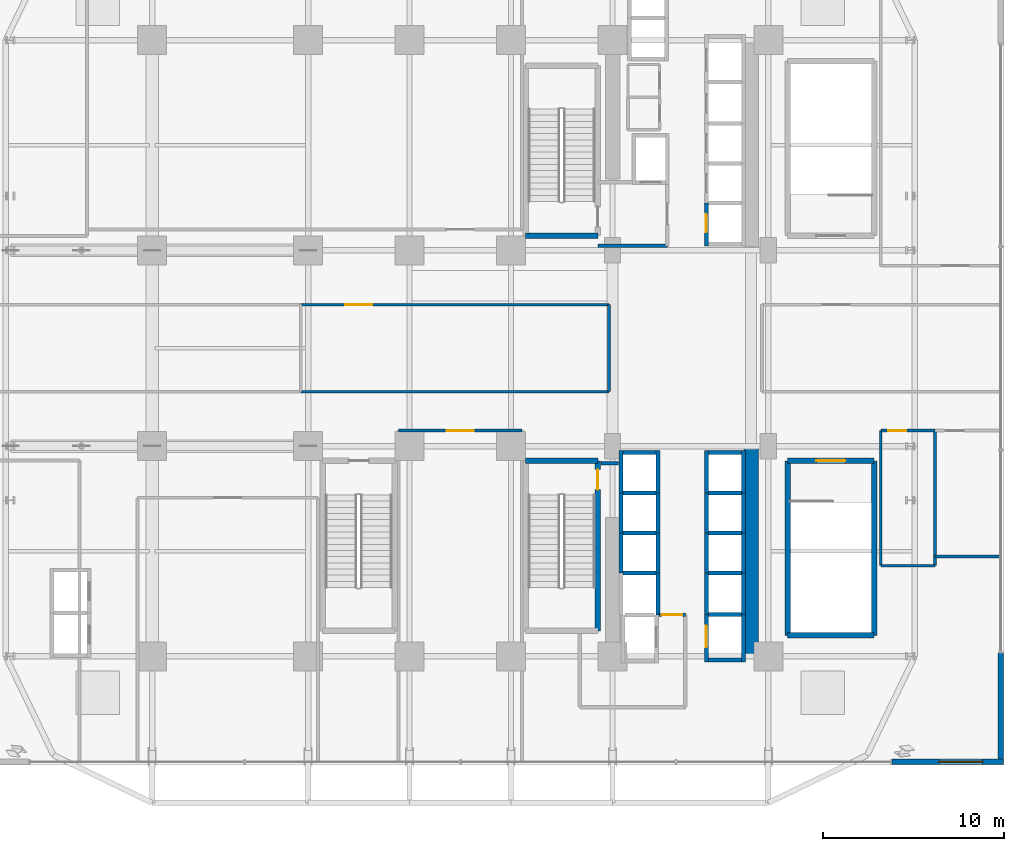
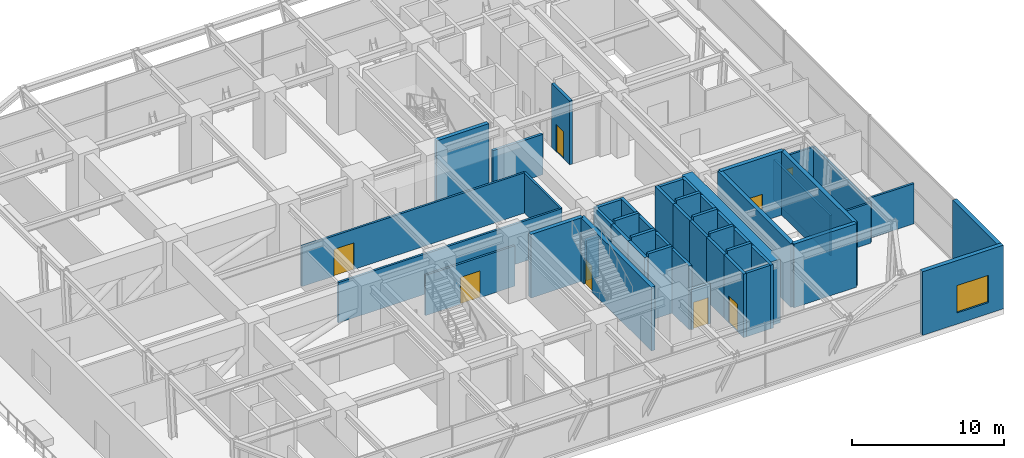
# One storey, part 21 of 29: 50 walls, 8 doors, 1 window, 9 openings.
"""IFC4 building model written with IfcOpenShell, lengths in metres."""

import ifcopenshell
import ifcopenshell.guid

model = None  # the IFC model being written
_history = None  # IfcOwnerHistory: only IFC2X3 demands one
_inside = {}  # id of a spatial element -> (the spatial element, [elements in it])
_under = {}  # id of a project, library or spatial element -> (it, [spatial elements below it])
_declared = {}  # id of a project -> (the project, [libraries it declares])
_typed = {}  # id of a type object -> (the type object, [elements of that type])
_made_of = {}  # id of a material, layer set ... -> (it, [elements and type objects made of it])


def new_model(schema):
    """Start an empty IFC model of exactly this schema.

    Asked for "IFC4X3", IfcOpenShell would pick the latest addendum, in which some entities
    have other attributes; the version numbers below select the first issue.
    IFC2X3 requires an IfcOwnerHistory on every rooted entity: one is made here for all.
    """
    global model, _history
    if schema == "IFC4X3":
        model = ifcopenshell.file(schema_version=(4, 3, 0, 0))
    else:
        model = ifcopenshell.file(schema=schema)
    _inside.clear()
    _under.clear()
    _declared.clear()
    _typed.clear()
    _made_of.clear()
    _history = None
    if model.schema == "IFC2X3":
        org = make("IfcOrganization", Name="unknown")
        user = make(
            "IfcPersonAndOrganization",
            ThePerson=make("IfcPerson", FamilyName="unknown"),
            TheOrganization=org,
        )
        app = make(
            "IfcApplication",
            ApplicationDeveloper=org,
            Version="unknown",
            ApplicationFullName="unknown",
            ApplicationIdentifier="unknown",
        )
        _history = make(
            "IfcOwnerHistory",
            OwningUser=user,
            OwningApplication=app,
            ChangeAction="ADDED",
            CreationDate=0,
        )
    return model


def make(cls, **values):
    """One entity of the class cls with the attributes given. An attribute that is None is left unset."""
    return model.create_entity(
        cls, **{name: value for name, value in values.items() if value is not None}
    )


def rooted(cls, **values):
    """An entity with a GlobalId (a new one), such as an element, a storey or a relation."""
    return make(cls, GlobalId=ifcopenshell.guid.new(), OwnerHistory=_history, **values)


def si_unit(unit_type, name, prefix=None):
    """IfcSIUnit, for example si_unit("LENGTHUNIT", "METRE", prefix="MILLI")."""
    return make("IfcSIUnit", UnitType=unit_type, Prefix=prefix, Name=name)


def assignment(units):
    """IfcUnitAssignment: the units of a project."""
    return None if units is None else make("IfcUnitAssignment", Units=units)


def point(xyz):
    """IfcCartesianPoint."""
    return None if xyz is None else make("IfcCartesianPoint", Coordinates=xyz)


def direction(xyz):
    """IfcDirection."""
    return None if xyz is None else make("IfcDirection", DirectionRatios=xyz)


def frame(location, z_axis=None, x_axis=None):
    """IfcAxis2Placement3D, a coordinate frame: its origin and axes. An axis left out is left unset."""
    return make(
        "IfcAxis2Placement3D",
        Location=point(location),
        Axis=direction(z_axis),
        RefDirection=direction(x_axis),
    )


def frame_2d(location, x_axis=None):
    """IfcAxis2Placement2D, a coordinate frame in the plane: its origin and x axis."""
    return make(
        "IfcAxis2Placement2D", Location=point(location), RefDirection=direction(x_axis)
    )


def origin():
    """The frame at (0, 0, 0) with its axes left unset."""
    return frame((0.0, 0.0, 0.0))


def place(relative_to, where):
    """IfcLocalPlacement: puts the frame where relative to a parent placement (None: the world)."""
    return make(
        "IfcLocalPlacement", PlacementRelTo=relative_to, RelativePlacement=where
    )


def context(
    kind, dimensions, precision=None, world=None, true_north=None, identifier=None
):
    """IfcGeometricRepresentationContext, for example the 3D "Model" context."""
    return make(
        "IfcGeometricRepresentationContext",
        ContextIdentifier=identifier,
        ContextType=kind,
        CoordinateSpaceDimension=dimensions,
        Precision=precision,
        WorldCoordinateSystem=world,
        TrueNorth=true_north,
    )


def subcontext(parent, identifier, kind, view, scale=None):
    """IfcGeometricRepresentationSubContext, for example "Body" below "Model"."""
    return make(
        "IfcGeometricRepresentationSubContext",
        ContextIdentifier=identifier,
        ContextType=kind,
        ParentContext=parent,
        TargetScale=scale,
        TargetView=view,
    )


def project(units=None, contexts=None):
    """IfcProject with its units and contexts."""
    return rooted(
        "IfcProject",
        Name="project",
        RepresentationContexts=contexts,
        UnitsInContext=assignment(units),
    )


def spatial(cls, under=None, at=None, **own):
    """A site, building, storey or space (cls), placed at a placement, below another one or the project."""
    s = rooted(cls, ObjectPlacement=at, **own)
    if under is not None:
        _under.setdefault(under.id(), (under, []))[1].append(s)
    return s


def profile(cls, at=None, kind="AREA", **sizes):
    """A parametric profile (cls). Its sizes go by their IFC names, for example OverallWidth=200.0."""
    return make(cls, ProfileType=kind, Position=at, **sizes)


def rectangle(**sizes):
    """IfcRectangleProfileDef."""
    return profile("IfcRectangleProfileDef", **sizes)


def extrude(swept, where, along, depth):
    """IfcExtrudedAreaSolid: the profile swept, set in the frame where, extruded along a direction by depth."""
    return make(
        "IfcExtrudedAreaSolid",
        SweptArea=swept,
        Position=where,
        ExtrudedDirection=direction(along),
        Depth=depth,
    )


def shape(context_of_items, identifier, shape_type, items):
    """IfcShapeRepresentation: the items that make up one representation, for example the "Body"."""
    return make(
        "IfcShapeRepresentation",
        ContextOfItems=context_of_items,
        RepresentationIdentifier=identifier,
        RepresentationType=shape_type,
        Items=items,
    )


def source(mapping_origin, context_of_items, identifier, shape_type, items):
    """IfcRepresentationMap: a shape defined once, which mapped items show again and again."""
    return make(
        "IfcRepresentationMap",
        MappingOrigin=mapping_origin,
        MappedRepresentation=shape(context_of_items, identifier, shape_type, items),
    )


def transform(
    local_origin,
    x_axis=None,
    y_axis=None,
    z_axis=None,
    scale=None,
    scale2=None,
    scale3=None,
    uniform=True,
):
    """IfcCartesianTransformationOperator3D, or its non-uniform kind. x_axis, y_axis, z_axis: its Axis1, 2, 3."""
    if uniform:
        return make(
            "IfcCartesianTransformationOperator3D",
            Axis1=direction(x_axis),
            Axis2=direction(y_axis),
            LocalOrigin=point(local_origin),
            Scale=scale,
            Axis3=direction(z_axis),
        )
    return make(
        "IfcCartesianTransformationOperator3DnonUniform",
        Axis1=direction(x_axis),
        Axis2=direction(y_axis),
        LocalOrigin=point(local_origin),
        Scale=scale,
        Axis3=direction(z_axis),
        Scale2=scale2,
        Scale3=scale3,
    )


def mapped(mapping_source, mapping_target):
    """IfcMappedItem: shows the shape of a source again, moved by a transform."""
    return make(
        "IfcMappedItem", MappingSource=mapping_source, MappingTarget=mapping_target
    )


def material(Name=None, Category=None):
    """IfcMaterial."""
    return make("IfcMaterial", Name=Name, Category=Category)


def layer(
    of_material, thickness, ventilated=None, Name=None, Category=None, Priority=None
):
    """IfcMaterialLayer: one layer of a wall or slab, of a material (None: an air gap)."""
    return make(
        "IfcMaterialLayer",
        Material=of_material,
        LayerThickness=thickness,
        IsVentilated=ventilated,
        Name=Name,
        Category=Category,
        Priority=Priority,
    )


def layer_set(layers, Name=None):
    """IfcMaterialLayerSet."""
    return make("IfcMaterialLayerSet", MaterialLayers=layers, LayerSetName=Name)


def made_of(thing, what):
    """Note that an element or type object is made of a material, layer set ...; save() writes the relation."""
    if what is not None:
        _made_of.setdefault(what.id(), (what, []))[1].append(thing)
    return thing


def type_object(cls, material=None, **own):
    """A type object (cls), such as IfcWallType, which elements share."""
    return made_of(rooted(cls, **own), material)


def element(
    cls,
    number,
    at=None,
    inside=None,
    cuts=None,
    type_object=None,
    material=None,
    context=None,
    identifier="Body",
    shape_type=None,
    held_by="IfcProductDefinitionShape",
    body=None,
    shapes=None,
    **own,
):
    """One element of the class cls, such as IfcWall. Its Tag is "e" and its number.

    at: its placement. inside: the storey or other place that contains it. cuts: it is an
    opening in that element (IfcRelVoidsElement). A single representation is given by context,
    identifier, shape_type and body (its items); several are given by shapes. held_by: the class
    of the entity that holds the representations. save() writes the other relations.
    """
    e = rooted(cls, Tag="e%d" % number, ObjectPlacement=at, **own)
    if body is not None:
        shapes = [shape(context, identifier, shape_type, body)]
    if shapes is not None:
        e.Representation = make(held_by, Representations=shapes)
    if inside is not None:
        _inside.setdefault(inside.id(), (inside, []))[1].append(e)
    if cuts is not None:
        rooted(
            "IfcRelVoidsElement", RelatingBuildingElement=cuts, RelatedOpeningElement=e
        )
    if type_object is not None:
        _typed.setdefault(type_object.id(), (type_object, []))[1].append(e)
    return made_of(e, material)


def fill(opening, filler):
    """IfcRelFillsElement: the door or window that sits in an opening."""
    return rooted(
        "IfcRelFillsElement",
        RelatingOpeningElement=opening,
        RelatedBuildingElement=filler,
    )


def aggregate(whole, parts):
    """IfcRelAggregates: a whole, such as a stair, and the parts it consists of."""
    return rooted("IfcRelAggregates", RelatingObject=whole, RelatedObjects=parts)


def save(model, path):
    """Write the relations noted so far, then the file.

    IfcRelAggregates (storeys below a building ...), IfcRelContainedInSpatialStructure (elements
    in a storey), IfcRelDefinesByType, IfcRelAssociatesMaterial and IfcRelDeclares: one each for
    every whole, place, type object, material and project.
    """
    for whole, parts in _under.values():
        aggregate(whole, parts)
    for where, things in _inside.values():
        rooted(
            "IfcRelContainedInSpatialStructure",
            RelatedElements=things,
            RelatingStructure=where,
        )
    for kind, things in _typed.values():
        rooted("IfcRelDefinesByType", RelatedObjects=things, RelatingType=kind)
    for what, things in _made_of.values():
        rooted("IfcRelAssociatesMaterial", RelatedObjects=things, RelatingMaterial=what)
    for by, libraries in _declared.values():
        rooted("IfcRelDeclares", RelatingContext=by, RelatedDefinitions=libraries)
    model.write(path)


model = new_model("IFC4")

# Units and contexts
model_context = context("Model", 3, precision=1e-05, world=origin(), true_north=direction((0.0, 1.0)))
body_context = subcontext(model_context, "Body", "Model", "MODEL_VIEW")
ifc_project = project(units=[si_unit("LENGTHUNIT", "METRE"), si_unit("AREAUNIT", "SQUARE_METRE"), si_unit("VOLUMEUNIT", "CUBIC_METRE"), si_unit("PLANEANGLEUNIT", "RADIAN"), si_unit("MASSUNIT", "GRAM", prefix="KILO")], contexts=[model_context])

# Site, building, storey
site_placement = place(None, origin())
site = spatial("IfcSite", under=ifc_project, at=site_placement, CompositionType="ELEMENT")
building_placement = place(site_placement, origin())
building = spatial("IfcBuilding", under=site, at=building_placement, Name="Nahalor Promenade Grand Hotel", CompositionType="ELEMENT")
storey_placement = place(building_placement, frame((0.0, 0.0, 27.0)))
storey = spatial("IfcBuildingStorey", under=building, at=storey_placement, Name="L05", CompositionType="ELEMENT", Elevation=27.0)

# Walls
ifc_material_1 = material(Name="Concrete B-70 (C60/75)", Category="concrete")
ifc_layer_1 = layer(ifc_material_1, 0.800048828125)
ifc_layer_set_1 = layer_set([ifc_layer_1], Name="Concrete B-70 (C60/75)")
wall_type_1 = type_object("IfcWallType", Name="Wall-CoreShear-800", PredefinedType="SHEAR", material=ifc_layer_set_1)
shared_shape_1 = source(origin(), body_context, "Body", "SweptSolid", [
    extrude(rectangle(XDim=11.60009765625, YDim=0.800048828125, at=frame_2d((5.800048828125, 0.0))), origin(), (0.0, 0.0, 1.0), 5.1201171875),
])
wall_1_placement = place(storey_placement, frame((16.050048828125, -17.0, 0.0), z_axis=(0.0, 0.0, 1.0), x_axis=(0.0, 1.0, 0.0)))
element("IfcWall", 1, at=wall_1_placement, inside=storey, type_object=wall_type_1, Name="CWALL-L05-SE", PredefinedType="SHEAR", context=body_context, shape_type="MappedRepresentation", body=[
    mapped(shared_shape_1, transform((0.0, 0.0, 0.0), scale=1.0)),
])
ifc_material_2 = material(Name="Concrete B-50 (C40/50)", Category="concrete")
ifc_layer_2 = layer(ifc_material_2, 0.300048828125)
ifc_layer_set_2 = layer_set([ifc_layer_2], Name="Concrete B-50 (C40/50)")
wall_type_2 = type_object("IfcWallType", Name="Wall-ShaftShear-300", PredefinedType="SHEAR", material=ifc_layer_set_2)
shared_shape_2 = source(origin(), body_context, "Body", "SweptSolid", [
    extrude(rectangle(XDim=3.97998046875, YDim=0.300048828125, at=frame_2d((1.989990234375, 0.0))), origin(), (0.0, 0.0, 1.0), 5.1201171875),
])
for number, where, z_axis, x_axis, name in (
    (2, (3.610107421875, 6.2099609375, 0.0), (0.0, 0.0, 1.0), (1.0, 0.0, 0.0), "L05 Exit Stair ST1 Shaft Wall S"),
    (3, (3.610107421875, -6.2099609375, 0.0), (0.0, 0.0, 1.0), (1.0, 0.0, 0.0), "L05 Exit Stair ST2 Shaft Wall N"),
):
    element("IfcWall", number, at=place(storey_placement, frame(where, z_axis=z_axis, x_axis=x_axis)), inside=storey, type_object=wall_type_2, Name=name, PredefinedType="SHEAR", context=body_context, shape_type="MappedRepresentation", body=[
        mapped(shared_shape_2, transform((0.0, 0.0, 0.0), scale=1.0)),
    ])

# Wall, opening, door
shared_shape_3 = source(origin(), body_context, "Body", "SweptSolid", [
    extrude(rectangle(XDim=9.380126953125, YDim=0.300048828125, at=frame_2d((4.68994140625, 0.0))), origin(), (0.0, 0.0, 1.0), 5.1201171875),
])
wall_2_placement = place(storey_placement, frame((7.590087890625, -15.590087890625, 0.0), z_axis=(0.0, 0.0, 1.0), x_axis=(0.0, 1.0, 0.0)))
wall_2 = element("IfcWall", 4, at=wall_2_placement, inside=storey, type_object=wall_type_2, Name="L05 Exit Stair ST2 Shaft Wall E", PredefinedType="SHEAR", context=body_context, shape_type="MappedRepresentation", body=[
    mapped(shared_shape_3, transform((0.0, 0.0, 0.0), scale=1.0)),
])
opening_1_placement = place(wall_2_placement, frame((7.7900390625, 0.0, 0.0)))
opening_1 = element("IfcOpeningElement", 5, at=opening_1_placement, cuts=wall_2, Name="Opening D-ST1", PredefinedType="OPENING", context=body_context, shape_type="SweptSolid", body=[
    extrude(rectangle(XDim=1.10009765625, YDim=2.14990234375, at=frame_2d((0.550048828125, 1.074951171875))), frame((0.0, 0.159912109375, 0.0), z_axis=(0.0, -1.0, 0.0), x_axis=(1.0, 0.0, 0.0)), (0.0, 0.0, 1.0), 0.320068359375),
])
ifc_material_3 = material(Name="Steel S355JR", Category="steel")
door_type_1 = type_object("IfcDoorType", Name="Door-StairFire-1100", OperationType="NOTDEFINED", PredefinedType="DOOR", material=ifc_material_3)
shared_shape_4 = source(origin(), body_context, "Body", "SweptSolid", [
    extrude(rectangle(XDim=1.10009765625, YDim=2.14990234375, at=frame_2d((0.550048828125, 1.074951171875))), frame((0.0, 0.02490234375, 0.0), z_axis=(0.0, -1.0, 0.0), x_axis=(1.0, 0.0, 0.0)), (0.0, 0.0, 1.0), 0.050048828125),
])
door_1_placement = place(opening_1_placement, origin())
door_1 = element("IfcDoor", 6, at=door_1_placement, inside=storey, type_object=door_type_1, Name="DR-STAIR-ST2-L05", OperationType="SINGLE_SWING_RIGHT", OverallHeight=2.14990234375, OverallWidth=1.10009765625, PredefinedType="DOOR", context=body_context, shape_type="MappedRepresentation", body=[
    mapped(shared_shape_4, transform((0.0, 0.0, 0.0), scale=1.0)),
])
fill(opening_1, door_1)

# Wall
shared_shape_5 = source(origin(), body_context, "Body", "SweptSolid", [
    extrude(rectangle(XDim=4.780029296875, YDim=0.300048828125, at=frame_2d((2.39013671875, 0.0))), origin(), (0.0, 0.0, 1.0), 5.1201171875),
])
wall_3_placement = place(storey_placement, frame((18.06005859375, -15.840087890625, 0.0), z_axis=(0.0, 0.0, 1.0), x_axis=(1.0, 0.0, 0.0)))
element("IfcWall", 7, at=wall_3_placement, inside=storey, type_object=wall_type_2, Name="L05 Exit Stair ST5 Shaft Wall S", PredefinedType="SHEAR", context=body_context, shape_type="MappedRepresentation", body=[
    mapped(shared_shape_5, transform((0.0, 0.0, 0.0), scale=1.0)),
])

# Wall, opening, door
wall_4_placement = place(storey_placement, frame((18.06005859375, -6.2099609375, 0.0), z_axis=(0.0, 0.0, 1.0), x_axis=(1.0, 0.0, 0.0)))
wall_4 = element("IfcWall", 8, at=wall_4_placement, inside=storey, type_object=wall_type_2, Name="L05 Exit Stair ST5 Shaft Wall N", PredefinedType="SHEAR", context=body_context, shape_type="MappedRepresentation", body=[
    mapped(shared_shape_5, transform((0.0, 0.0, 0.0), scale=1.0)),
])
opening_2_placement = place(wall_4_placement, frame((1.590087890625, 0.0, 0.0)))
opening_2 = element("IfcOpeningElement", 9, at=opening_2_placement, cuts=wall_4, Name="Opening D-ST2", PredefinedType="OPENING", context=body_context, shape_type="SweptSolid", body=[
    extrude(rectangle(XDim=1.60009765625, YDim=2.199951171875, at=frame_2d((0.800048828125, 1.10009765625))), frame((0.0, 0.159912109375, 0.0), z_axis=(0.0, -1.0, 0.0), x_axis=(1.0, 0.0, 0.0)), (0.0, 0.0, 1.0), 0.320068359375),
])
door_type_2 = type_object("IfcDoorType", Name="Door-StairGrand-1600", OperationType="DOUBLE_DOOR_SINGLE_SWING", PredefinedType="DOOR", material=ifc_material_3)
shared_shape_6 = source(origin(), body_context, "Body", "SweptSolid", [
    extrude(rectangle(XDim=1.60009765625, YDim=2.199951171875, at=frame_2d((0.800048828125, 1.10009765625))), frame((0.0, 0.02490234375, 0.0), z_axis=(0.0, -1.0, 0.0), x_axis=(1.0, 0.0, 0.0)), (0.0, 0.0, 1.0), 0.050048828125),
])
door_2_placement = place(opening_2_placement, frame((1.60009765625, 0.0, 0.0), z_axis=(0.0, 0.0, 1.0), x_axis=(-1.0, 0.0, 0.0)))
door_2 = element("IfcDoor", 10, at=door_2_placement, inside=storey, type_object=door_type_2, Name="DR-STAIR-ST5-L05", OperationType="DOUBLE_DOOR_SINGLE_SWING", OverallHeight=2.199951171875, OverallWidth=1.60009765625, PredefinedType="DOOR", context=body_context, shape_type="MappedRepresentation", body=[
    mapped(shared_shape_6, transform((0.0, 0.0, 0.0), scale=1.0)),
])
fill(opening_2, door_2)

# Walls
shared_shape_7 = source(origin(), body_context, "Body", "SweptSolid", [
    extrude(rectangle(XDim=9.630126953125, YDim=0.300048828125, at=frame_2d((4.81494140625, 0.0))), origin(), (0.0, 0.0, 1.0), 5.1201171875),
])
for number, where, z_axis, x_axis, name in (
    (11, (18.06005859375, -15.840087890625, 0.0), (0.0, 0.0, 1.0), (0.0, 1.0, 0.0), "L05 Exit Stair ST5 Shaft Wall W"),
    (12, (22.840087890625, -15.840087890625, 0.0), (0.0, 0.0, 1.0), (0.0, 1.0, 0.0), "L05 Exit Stair ST5 Shaft Wall E"),
):
    element("IfcWall", number, at=place(storey_placement, frame(where, z_axis=z_axis, x_axis=x_axis)), inside=storey, type_object=wall_type_2, Name=name, PredefinedType="SHEAR", context=body_context, shape_type="MappedRepresentation", body=[
        mapped(shared_shape_7, transform((0.0, 0.0, 0.0), scale=1.0)),
    ])
ifc_layer_3 = layer(ifc_material_2, 0.219970703125)
ifc_layer_set_3 = layer_set([ifc_layer_3], Name="Concrete B-50 (C40/50)")
wall_type_3 = type_object("IfcWallType", Name="Wall-LiftShaft-220", PredefinedType="SHEAR", material=ifc_layer_set_3)
shared_shape_8 = source(origin(), body_context, "Body", "SweptSolid", [
    extrude(rectangle(XDim=1.820068359375, YDim=0.219970703125, at=frame_2d((0.91015625, 0.0))), origin(), (0.0, 0.0, 1.0), 5.39990234375),
])
for number, where, z_axis, x_axis, name in (
    (13, (13.68994140625, -8.0, 0.0), (0.0, 0.0, 1.0), (1.0, 0.0, 0.0), "L05 Lift PL6 Hoistway Wall N"),
    (14, (13.68994140625, -10.199951171875, 0.0), (0.0, 0.0, 1.0), (1.0, 0.0, 0.0), "L05 Lift PL7 Hoistway Wall N"),
    (15, (13.68994140625, -12.39990234375, 0.0), (0.0, 0.0, 1.0), (1.0, 0.0, 0.0), "L05 Lift PL8 Hoistway Wall N"),
    (16, (8.989990234375, -8.0, 0.0), (0.0, 0.0, 1.0), (1.0, 0.0, 0.0), "L05 Lift PL10 Hoistway Wall N"),
    (17, (8.989990234375, -10.199951171875, 0.0), (0.0, 0.0, 1.0), (1.0, 0.0, 0.0), "L05 Lift PL11 Hoistway Wall N"),
    (18, (8.989990234375, -12.39990234375, 0.0), (0.0, 0.0, 1.0), (1.0, 0.0, 0.0), "L05 Lift PL12 Hoistway Wall N"),
    (19, (13.68994140625, -14.699951171875, 0.0), (0.0, 0.0, 1.0), (1.0, 0.0, 0.0), "L05 Lift SV2 Hoistway Wall N"),
):
    element("IfcWall", number, at=place(storey_placement, frame(where, z_axis=z_axis, x_axis=x_axis)), inside=storey, type_object=wall_type_3, Name=name, PredefinedType="SHEAR", context=body_context, shape_type="MappedRepresentation", body=[
        mapped(shared_shape_8, transform((0.0, 0.0, 0.0), scale=1.0)),
    ])

# Wall, opening, door
shared_shape_9 = source(origin(), body_context, "Body", "SweptSolid", [
    extrude(rectangle(XDim=2.360107421875, YDim=0.219970703125, at=frame_2d((1.18017578125, 0.0))), origin(), (0.0, 0.0, 1.0), 5.1201171875),
])
wall_5_placement = place(storey_placement, frame((13.580078125, 5.639892578125, 0.0), z_axis=(0.0, 0.0, 1.0), x_axis=(0.0, 1.0, 0.0)))
wall_5 = element("IfcWall", 20, at=wall_5_placement, inside=storey, type_object=wall_type_3, Name="L05 Lift PL1 Hoistway Wall W", PredefinedType="SHEAR", context=body_context, shape_type="MappedRepresentation", body=[
    mapped(shared_shape_9, transform((0.0, 0.0, 0.0), scale=1.0)),
])
opening_3_placement = place(wall_5_placement, frame((0.760009765625, 0.0, 0.0)))
opening_3 = element("IfcOpeningElement", 21, at=opening_3_placement, cuts=wall_5, Name="Opening LD-01", PredefinedType="OPENING", context=body_context, shape_type="SweptSolid", body=[
    extrude(rectangle(XDim=1.0, YDim=2.199951171875, at=frame_2d((0.5, 1.10009765625))), frame((0.0, 0.119873046875, 0.0), z_axis=(0.0, -1.0, 0.0), x_axis=(1.0, 0.0, 0.0)), (0.0, 0.0, 1.0), 0.239990234375),
])
door_type_3 = type_object("IfcDoorType", Name="Door-LiftLanding-1000", OperationType="DOUBLE_DOOR_SLIDING", PredefinedType="DOOR", material=ifc_material_3)
shared_shape_10 = source(origin(), body_context, "Body", "SweptSolid", [
    extrude(rectangle(XDim=1.0, YDim=2.199951171875, at=frame_2d((0.5, 1.10009765625))), frame((0.0, 0.02490234375, 0.0), z_axis=(0.0, -1.0, 0.0), x_axis=(1.0, 0.0, 0.0)), (0.0, 0.0, 1.0), 0.050048828125),
])
door_3_placement = place(opening_3_placement, origin())
door_3 = element("IfcDoor", 22, at=door_3_placement, inside=storey, type_object=door_type_3, Name="DR-LIFT-PL1-L05", OperationType="DOUBLE_DOOR_SLIDING", OverallHeight=2.199951171875, OverallWidth=1.0, PredefinedType="DOOR", context=body_context, shape_type="MappedRepresentation", body=[
    mapped(shared_shape_10, transform((0.0, 0.0, 0.0), scale=1.0)),
])
fill(opening_3, door_3)

# Walls
for number, where, z_axis, x_axis, name in (
    (23, (13.580078125, -8.0, 0.0), (0.0, 0.0, 1.0), (0.0, 1.0, 0.0), "L05 Lift PL5 Hoistway Wall W"),
    (24, (15.6201171875, -8.0, 0.0), (0.0, 0.0, 1.0), (0.0, 1.0, 0.0), "L05 Lift PL5 Hoistway Wall E"),
    (25, (8.8798828125, -8.0, 0.0), (0.0, 0.0, 1.0), (0.0, 1.0, 0.0), "L05 Lift PL9 Hoistway Wall W"),
    (26, (10.919921875, -8.0, 0.0), (0.0, 0.0, 1.0), (0.0, 1.0, 0.0), "L05 Lift PL9 Hoistway Wall E"),
):
    element("IfcWall", number, at=place(storey_placement, frame(where, z_axis=z_axis, x_axis=x_axis)), inside=storey, type_object=wall_type_3, Name=name, PredefinedType="SHEAR", context=body_context, shape_type="MappedRepresentation", body=[
        mapped(shared_shape_9, transform((0.0, 0.0, 0.0), scale=1.0)),
    ])
shared_shape_11 = source(origin(), body_context, "Body", "SweptSolid", [
    extrude(rectangle(XDim=1.820068359375, YDim=0.219970703125, at=frame_2d((0.91015625, 0.0))), origin(), (0.0, 0.0, 1.0), 5.1201171875),
])
for number, where, z_axis, x_axis, name in (
    (27, (13.68994140625, -5.75, 0.0), (0.0, 0.0, 1.0), (1.0, 0.0, 0.0), "L05 Lift PL5 Hoistway Wall N"),
    (28, (8.989990234375, -5.75, 0.0), (0.0, 0.0, 1.0), (1.0, 0.0, 0.0), "L05 Lift PL9 Hoistway Wall N"),
    (29, (13.68994140625, -17.199951171875, 0.0), (0.0, 0.0, 1.0), (1.0, 0.0, 0.0), "L05 Lift SV2 Hoistway Wall S"),
):
    element("IfcWall", number, at=place(storey_placement, frame(where, z_axis=z_axis, x_axis=x_axis)), inside=storey, type_object=wall_type_3, Name=name, PredefinedType="SHEAR", context=body_context, shape_type="MappedRepresentation", body=[
        mapped(shared_shape_11, transform((0.0, 0.0, 0.0), scale=1.0)),
    ])
shared_shape_12 = source(origin(), body_context, "Body", "SweptSolid", [
    extrude(rectangle(XDim=2.199951171875, YDim=0.219970703125, at=frame_2d((1.10009765625, 0.0))), origin(), (0.0, 0.0, 1.0), 5.1201171875),
])
for number, where, z_axis, x_axis, name in (
    (30, (13.580078125, -10.199951171875, 0.0), (0.0, 0.0, 1.0), (0.0, 1.0, 0.0), "L05 Lift PL6 Hoistway Wall W"),
    (31, (15.6201171875, -10.199951171875, 0.0), (0.0, 0.0, 1.0), (0.0, 1.0, 0.0), "L05 Lift PL6 Hoistway Wall E"),
    (32, (13.580078125, -12.39990234375, 0.0), (0.0, 0.0, 1.0), (0.0, 1.0, 0.0), "L05 Lift PL7 Hoistway Wall W"),
    (33, (15.6201171875, -12.39990234375, 0.0), (0.0, 0.0, 1.0), (0.0, 1.0, 0.0), "L05 Lift PL7 Hoistway Wall E"),
    (34, (8.8798828125, -10.199951171875, 0.0), (0.0, 0.0, 1.0), (0.0, 1.0, 0.0), "L05 Lift PL10 Hoistway Wall W"),
    (35, (10.919921875, -10.199951171875, 0.0), (0.0, 0.0, 1.0), (0.0, 1.0, 0.0), "L05 Lift PL10 Hoistway Wall E"),
    (36, (8.8798828125, -12.39990234375, 0.0), (0.0, 0.0, 1.0), (0.0, 1.0, 0.0), "L05 Lift PL11 Hoistway Wall W"),
    (37, (10.919921875, -12.39990234375, 0.0), (0.0, 0.0, 1.0), (0.0, 1.0, 0.0), "L05 Lift PL11 Hoistway Wall E"),
):
    element("IfcWall", number, at=place(storey_placement, frame(where, z_axis=z_axis, x_axis=x_axis)), inside=storey, type_object=wall_type_3, Name=name, PredefinedType="SHEAR", context=body_context, shape_type="MappedRepresentation", body=[
        mapped(shared_shape_12, transform((0.0, 0.0, 0.0), scale=1.0)),
    ])
shared_shape_13 = source(origin(), body_context, "Body", "SweptSolid", [
    extrude(rectangle(XDim=2.300048828125, YDim=0.219970703125, at=frame_2d((1.14990234375, 0.0))), origin(), (0.0, 0.0, 1.0), 5.1201171875),
])
for number, where, z_axis, x_axis, name in (
    (38, (13.580078125, -14.699951171875, 0.0), (0.0, 0.0, 1.0), (0.0, 1.0, 0.0), "L05 Lift PL8 Hoistway Wall W"),
    (39, (15.6201171875, -14.699951171875, 0.0), (0.0, 0.0, 1.0), (0.0, 1.0, 0.0), "L05 Lift PL8 Hoistway Wall E"),
):
    element("IfcWall", number, at=place(storey_placement, frame(where, z_axis=z_axis, x_axis=x_axis)), inside=storey, type_object=wall_type_3, Name=name, PredefinedType="SHEAR", context=body_context, shape_type="MappedRepresentation", body=[
        mapped(shared_shape_13, transform((0.0, 0.0, 0.0), scale=1.0)),
    ])
shared_shape_14 = source(origin(), body_context, "Body", "SweptSolid", [
    extrude(rectangle(XDim=2.3251953125, YDim=0.219970703125, at=frame_2d((1.16259765625, 0.0))), origin(), (0.0, 0.0, 1.0), 5.1201171875),
])
wall_6_placement = place(storey_placement, frame((10.919921875, -14.72509765625, 0.0), z_axis=(0.0, 0.0, 1.0), x_axis=(0.0, 1.0, 0.0)))
element("IfcWall", 40, at=wall_6_placement, inside=storey, type_object=wall_type_3, Name="L05 Lift PL12 Hoistway Wall E", PredefinedType="SHEAR", context=body_context, shape_type="MappedRepresentation", body=[
    mapped(shared_shape_14, transform((0.0, 0.0, 0.0), scale=1.0)),
])

# Wall, opening, door
shared_shape_15 = source(origin(), body_context, "Body", "SweptSolid", [
    extrude(rectangle(XDim=2.610107421875, YDim=0.219970703125, at=frame_2d((1.30517578125, 0.0))), origin(), (0.0, 0.0, 1.0), 5.1201171875),
])
wall_7_placement = place(storey_placement, frame((13.580078125, -17.31005859375, 0.0), z_axis=(0.0, 0.0, 1.0), x_axis=(0.0, 1.0, 0.0)))
wall_7 = element("IfcWall", 41, at=wall_7_placement, inside=storey, type_object=wall_type_3, Name="L05 Lift SV2 Hoistway Wall W", PredefinedType="SHEAR", context=body_context, shape_type="MappedRepresentation", body=[
    mapped(shared_shape_15, transform((0.0, 0.0, 0.0), scale=1.0)),
])
opening_4_placement = place(wall_7_placement, frame((0.81005859375, 0.0, 0.0)))
opening_4 = element("IfcOpeningElement", 42, at=opening_4_placement, cuts=wall_7, Name="Opening LD-03", PredefinedType="OPENING", context=body_context, shape_type="SweptSolid", body=[
    extrude(rectangle(XDim=1.199951171875, YDim=2.199951171875, at=frame_2d((0.60009765625, 1.10009765625))), frame((0.0, 0.119873046875, 0.0), z_axis=(0.0, -1.0, 0.0), x_axis=(1.0, 0.0, 0.0)), (0.0, 0.0, 1.0), 0.239990234375),
])
door_type_4 = type_object("IfcDoorType", Name="Door-LiftService-1200", OperationType="DOUBLE_DOOR_SLIDING", PredefinedType="DOOR", material=ifc_material_3)
shared_shape_16 = source(origin(), body_context, "Body", "SweptSolid", [
    extrude(rectangle(XDim=1.199951171875, YDim=2.199951171875, at=frame_2d((0.60009765625, 1.10009765625))), frame((0.0, 0.02490234375, 0.0), z_axis=(0.0, -1.0, 0.0), x_axis=(1.0, 0.0, 0.0)), (0.0, 0.0, 1.0), 0.050048828125),
])
door_4_placement = place(opening_4_placement, origin())
door_4 = element("IfcDoor", 43, at=door_4_placement, inside=storey, type_object=door_type_4, Name="DR-LIFT-SV2-L05", OperationType="DOUBLE_DOOR_SLIDING", OverallHeight=2.199951171875, OverallWidth=1.199951171875, PredefinedType="DOOR", context=body_context, shape_type="MappedRepresentation", body=[
    mapped(shared_shape_16, transform((0.0, 0.0, 0.0), scale=1.0)),
])
fill(opening_4, door_4)

# Wall
wall_8_placement = place(storey_placement, frame((15.6201171875, -17.31005859375, 0.0), z_axis=(0.0, 0.0, 1.0), x_axis=(0.0, 1.0, 0.0)))
element("IfcWall", 44, at=wall_8_placement, inside=storey, type_object=wall_type_3, Name="L05 Lift SV2 Hoistway Wall E", PredefinedType="SHEAR", context=body_context, shape_type="MappedRepresentation", body=[
    mapped(shared_shape_15, transform((0.0, 0.0, 0.0), scale=1.0)),
])

# Wall, opening, window
ifc_material_4 = material(Name="Concrete B-40 (C32/40)", Category="concrete")
ifc_layer_4 = layer(ifc_material_4, 0.320068359375)
ifc_layer_set_4 = layer_set([ifc_layer_4], Name="Concrete B-40 (C32/40)")
wall_type_4 = type_object("IfcWallType", Name="Wall-LimestonePier-320", PredefinedType="STANDARD", material=ifc_layer_set_4)
shared_shape_17 = source(origin(), body_context, "Body", "SweptSolid", [
    extrude(rectangle(XDim=6.159912109375, YDim=0.320068359375, at=frame_2d((3.080078125, 0.0))), origin(), (0.0, 0.0, 1.0), 5.1201171875),
])
wall_9_placement = place(storey_placement, frame((23.820068359375, -22.820068359375, 0.0), z_axis=(0.0, 0.0, 1.0), x_axis=(1.0, 0.0, 0.0)))
wall_9 = element("IfcWall", 45, at=wall_9_placement, inside=storey, type_object=wall_type_4, Name="W-L05-CRN-SE-X", PredefinedType="STANDARD", context=body_context, shape_type="MappedRepresentation", body=[
    mapped(shared_shape_17, transform((0.0, 0.0, 0.0), scale=1.0)),
])
opening_5_placement = place(wall_9_placement, frame((2.60009765625, 0.0, 0.89990234375)))
opening_5 = element("IfcOpeningElement", 46, at=opening_5_placement, cuts=wall_9, Name="Opening WN-02", PredefinedType="OPENING", context=body_context, shape_type="SweptSolid", body=[
    extrude(rectangle(XDim=2.39990234375, YDim=2.199951171875, at=frame_2d((1.199951171875, 1.10009765625))), frame((0.0, 0.169921875, 0.0), z_axis=(0.0, -1.0, 0.0), x_axis=(1.0, 0.0, 0.0)), (0.0, 0.0, 1.0), 0.340087890625),
])
ifc_material_5 = material(Name="Low-E Laminated Solar Glass", Category="glass")
window_type = type_object("IfcWindowType", Name="Win-PodiumArch-2400x2200", PartitioningType="SINGLE_PANEL", PredefinedType="WINDOW", material=ifc_material_5)
shared_shape_18 = source(origin(), body_context, "Body", "SweptSolid", [
    extrude(rectangle(XDim=2.39990234375, YDim=2.199951171875, at=frame_2d((1.199951171875, 1.10009765625))), frame((0.0, 0.030029296875, 0.0), z_axis=(0.0, -1.0, 0.0), x_axis=(1.0, 0.0, 0.0)), (0.0, 0.0, 1.0), 0.06005859375),
])
window_placement = place(opening_5_placement, origin())
window = element("IfcWindow", 47, at=window_placement, inside=storey, type_object=window_type, Name="WN-L05-SE-X", OverallHeight=2.199951171875, OverallWidth=2.39990234375, PartitioningType="SINGLE_PANEL", PredefinedType="WINDOW", context=body_context, shape_type="MappedRepresentation", body=[
    mapped(shared_shape_18, transform((0.0, 0.0, 0.0), scale=1.0)),
])
fill(opening_5, window)

# Walls
shared_shape_19 = source(origin(), body_context, "Body", "SweptSolid", [
    extrude(rectangle(XDim=5.83984375, YDim=0.320068359375, at=frame_2d((2.919921875, 0.0))), origin(), (0.0, 0.0, 1.0), 5.1201171875),
])
wall_10_placement = place(storey_placement, frame((29.820068359375, -22.659912109375, 0.0), z_axis=(0.0, 0.0, 1.0), x_axis=(0.0, 1.0, 0.0)))
element("IfcWall", 48, at=wall_10_placement, inside=storey, type_object=wall_type_4, Name="W-L05-CRN-SE-Y", PredefinedType="STANDARD", context=body_context, shape_type="MappedRepresentation", body=[
    mapped(shared_shape_19, transform((0.0, 0.0, 0.0), scale=1.0)),
])
ifc_layer_5 = layer(ifc_material_4, 0.199951171875)
ifc_layer_set_5 = layer_set([ifc_layer_5], Name="Concrete B-40 (C32/40)")
wall_type_5 = type_object("IfcWallType", Name="Wall-PartFire-200", PredefinedType="PARTITIONING", material=ifc_layer_set_5)
shared_shape_20 = source(origin(), body_context, "Body", "SweptSolid", [
    extrude(rectangle(XDim=3.81982421875, YDim=0.199951171875, at=frame_2d((1.909912109375, 0.0))), origin(), (0.0, 0.0, 1.0), 3.239990234375),
])
wall_11_placement = place(storey_placement, frame((7.60009765625, 5.64990234375, 0.0), z_axis=(0.0, 0.0, 1.0), x_axis=(1.0, 0.0, 0.0)))
element("IfcWall", 49, at=wall_11_placement, inside=storey, type_object=wall_type_5, Name="W-L05-FF1-S", PredefinedType="PARTITIONING", context=body_context, shape_type="MappedRepresentation", body=[
    mapped(shared_shape_20, transform((0.0, 0.0, 0.0), scale=1.0)),
])

# Wall, opening, door
shared_shape_21 = source(origin(), body_context, "Body", "SweptSolid", [
    extrude(rectangle(XDim=1.4599609375, YDim=0.199951171875, at=frame_2d((0.72998046875, 0.0))), origin(), (0.0, 0.0, 1.0), 3.239990234375),
])
wall_12_placement = place(storey_placement, frame((10.9599609375, -14.699951171875, 0.0), z_axis=(0.0, 0.0, 1.0), x_axis=(1.0, 0.0, 0.0)))
wall_12 = element("IfcWall", 50, at=wall_12_placement, inside=storey, type_object=wall_type_5, Name="W-L05-FF2-N1", PredefinedType="PARTITIONING", context=body_context, shape_type="MappedRepresentation", body=[
    mapped(shared_shape_21, transform((0.0, 0.0, 0.0), scale=1.0)),
])
opening_6_placement = place(wall_12_placement, frame((0.14501953125, 0.0, 0.0)))
opening_6 = element("IfcOpeningElement", 51, at=opening_6_placement, cuts=wall_12, Name="Opening D-FF1", PredefinedType="OPENING", context=body_context, shape_type="SweptSolid", body=[
    extrude(rectangle(XDim=1.14990234375, YDim=2.14990234375, at=frame_2d((0.574951171875, 1.074951171875))), frame((0.0, 0.10986328125, 0.0), z_axis=(0.0, -1.0, 0.0), x_axis=(1.0, 0.0, 0.0)), (0.0, 0.0, 1.0), 0.219970703125),
])
door_type_5 = type_object("IfcDoorType", Name="Door-FFLobby-1150", OperationType="NOTDEFINED", PredefinedType="DOOR", material=ifc_material_3)
shared_shape_22 = source(origin(), body_context, "Body", "SweptSolid", [
    extrude(rectangle(XDim=1.14990234375, YDim=2.14990234375, at=frame_2d((0.574951171875, 1.074951171875))), frame((0.0, 0.02490234375, 0.0), z_axis=(0.0, -1.0, 0.0), x_axis=(1.0, 0.0, 0.0)), (0.0, 0.0, 1.0), 0.050048828125),
])
door_5_placement = place(opening_6_placement, origin())
door_5 = element("IfcDoor", 52, at=door_5_placement, inside=storey, type_object=door_type_5, Name="DR-L05-FFL2", OperationType="SINGLE_SWING_RIGHT", OverallHeight=2.14990234375, OverallWidth=1.14990234375, PredefinedType="DOOR", context=body_context, shape_type="MappedRepresentation", body=[
    mapped(shared_shape_22, transform((0.0, 0.0, 0.0), scale=1.0)),
])
fill(opening_6, door_5)

# Walls
shared_shape_23 = source(origin(), body_context, "Body", "SweptSolid", [
    extrude(rectangle(XDim=0.969970703125, YDim=0.199951171875, at=frame_2d((0.48486328125, 0.0))), origin(), (0.0, 0.0, 1.0), 3.239990234375),
])
wall_13_placement = place(storey_placement, frame((7.77001953125, -6.35009765625, 0.0), z_axis=(0.0, 0.0, 1.0), x_axis=(1.0, 0.0, 0.0)))
element("IfcWall", 53, at=wall_13_placement, inside=storey, type_object=wall_type_5, Name="W-L05-FF2-N2", PredefinedType="PARTITIONING", context=body_context, shape_type="MappedRepresentation", body=[
    mapped(shared_shape_23, transform((0.0, 0.0, 0.0), scale=1.0)),
])
ifc_material_6 = material(Name="Acoustic Mineral Gypsum", Category="gypsum")
ifc_layer_6 = layer(ifc_material_6, 0.159912109375)
ifc_layer_set_6 = layer_set([ifc_layer_6], Name="Acoustic Mineral Gypsum")
wall_type_6 = type_object("IfcWallType", Name="Wall-PartCorridor-160", PredefinedType="PARTITIONING", material=ifc_layer_set_6)
shared_shape_24 = source(origin(), body_context, "Body", "SweptSolid", [
    extrude(rectangle(XDim=4.7998046875, YDim=0.159912109375, at=frame_2d((2.39990234375, 0.0))), origin(), (0.0, 0.0, 1.0), 3.239990234375),
])
wall_14_placement = place(storey_placement, frame((8.199951171875, -2.39990234375, 0.0), z_axis=(0.0, 0.0, 1.0), x_axis=(0.0, 1.0, 0.0)))
element("IfcWall", 54, at=wall_14_placement, inside=storey, type_object=wall_type_6, Name="W-L05-PR02-E", PredefinedType="PARTITIONING", context=body_context, shape_type="MappedRepresentation", body=[
    mapped(shared_shape_24, transform((0.0, 0.0, 0.0), scale=1.0)),
])
shared_shape_25 = source(origin(), body_context, "Body", "SweptSolid", [
    extrude(rectangle(XDim=17.0, YDim=0.159912109375, at=frame_2d((8.5, 0.0))), origin(), (0.0, 0.0, 1.0), 3.239990234375),
])
wall_15_placement = place(storey_placement, frame((-8.800048828125, -2.39990234375, 0.0), z_axis=(0.0, 0.0, 1.0), x_axis=(1.0, 0.0, 0.0)))
element("IfcWall", 55, at=wall_15_placement, inside=storey, type_object=wall_type_6, Name="W-L05-PR02-S", PredefinedType="PARTITIONING", context=body_context, shape_type="MappedRepresentation", body=[
    mapped(shared_shape_25, transform((0.0, 0.0, 0.0), scale=1.0)),
])

# Wall, opening, door
wall_16_placement = place(storey_placement, frame((-8.800048828125, 2.39990234375, 0.0), z_axis=(0.0, 0.0, 1.0), x_axis=(1.0, 0.0, 0.0)))
wall_16 = element("IfcWall", 56, at=wall_16_placement, inside=storey, type_object=wall_type_6, Name="W-L05-PR02-N", PredefinedType="PARTITIONING", context=body_context, shape_type="MappedRepresentation", body=[
    mapped(shared_shape_25, transform((0.0, 0.0, 0.0), scale=1.0)),
])
opening_7_placement = place(wall_16_placement, frame((2.448974609375, 0.0, 0.0)))
opening_7 = element("IfcOpeningElement", 57, at=opening_7_placement, cuts=wall_16, Name="Opening D-02", PredefinedType="OPENING", context=body_context, shape_type="SweptSolid", body=[
    extrude(rectangle(XDim=1.5, YDim=2.14990234375, at=frame_2d((0.75, 1.074951171875))), frame((0.0, 0.08984375, 0.0), z_axis=(0.0, -1.0, 0.0), x_axis=(1.0, 0.0, 0.0)), (0.0, 0.0, 1.0), 0.179931640625),
])
ifc_material_7 = material(Name="Fire-Rated Timber Composite", Category="wood")
door_type_6 = type_object("IfcDoorType", Name="Door-SuiteDouble-1500", OperationType="DOUBLE_DOOR_SINGLE_SWING", PredefinedType="DOOR", material=ifc_material_7)
shared_shape_26 = source(origin(), body_context, "Body", "SweptSolid", [
    extrude(rectangle(XDim=1.5, YDim=2.14990234375, at=frame_2d((0.75, 1.074951171875))), frame((0.0, 0.02490234375, 0.0), z_axis=(0.0, -1.0, 0.0), x_axis=(1.0, 0.0, 0.0)), (0.0, 0.0, 1.0), 0.050048828125),
])
door_6_placement = place(opening_7_placement, frame((1.5, 0.0, 0.0), z_axis=(0.0, 0.0, 1.0), x_axis=(-1.0, 0.0, 0.0)))
door_6 = element("IfcDoor", 58, at=door_6_placement, inside=storey, type_object=door_type_6, Name="DR-L05-PR02", OperationType="DOUBLE_DOOR_SINGLE_SWING", OverallHeight=2.14990234375, OverallWidth=1.5, PredefinedType="DOOR", context=body_context, shape_type="MappedRepresentation", body=[
    mapped(shared_shape_26, transform((0.0, 0.0, 0.0), scale=1.0)),
])
fill(opening_7, door_6)

shared_shape_27 = source(origin(), body_context, "Body", "SweptSolid", [
    extrude(rectangle(XDim=6.7998046875, YDim=0.159912109375, at=frame_2d((3.39990234375, 0.0))), origin(), (0.0, 0.0, 1.0), 3.239990234375),
])
wall_17_placement = place(storey_placement, frame((-3.39990234375, -4.550048828125, 0.0), z_axis=(0.0, 0.0, 1.0), x_axis=(1.0, 0.0, 0.0)))
wall_17 = element("IfcWall", 59, at=wall_17_placement, inside=storey, type_object=wall_type_6, Name="W-L05-PR08-N", PredefinedType="PARTITIONING", context=body_context, shape_type="MappedRepresentation", body=[
    mapped(shared_shape_27, transform((0.0, 0.0, 0.0), scale=1.0)),
])
opening_8_placement = place(wall_17_placement, frame((2.64990234375, 0.0, 0.0)))
opening_8 = element("IfcOpeningElement", 60, at=opening_8_placement, cuts=wall_17, Name="Opening D-02", PredefinedType="OPENING", context=body_context, shape_type="SweptSolid", body=[
    extrude(rectangle(XDim=1.5, YDim=2.14990234375, at=frame_2d((0.75, 1.074951171875))), frame((0.0, 0.08984375, 0.0), z_axis=(0.0, -1.0, 0.0), x_axis=(1.0, 0.0, 0.0)), (0.0, 0.0, 1.0), 0.179931640625),
])
door_7_placement = place(opening_8_placement, frame((1.5, 0.0, 0.0), z_axis=(0.0, 0.0, 1.0), x_axis=(-1.0, 0.0, 0.0)))
door_7 = element("IfcDoor", 61, at=door_7_placement, inside=storey, type_object=door_type_6, Name="DR-L05-PR08", OperationType="DOUBLE_DOOR_SINGLE_SWING", OverallHeight=2.14990234375, OverallWidth=1.5, PredefinedType="DOOR", context=body_context, shape_type="MappedRepresentation", body=[
    mapped(shared_shape_26, transform((0.0, 0.0, 0.0), scale=1.0)),
])
fill(opening_8, door_7)

# Wall
shared_shape_28 = source(origin(), body_context, "Body", "SweptSolid", [
    extrude(rectangle(XDim=3.0, YDim=0.159912109375, at=frame_2d((1.5, 0.0))), origin(), (0.0, 0.0, 1.0), 3.239990234375),
])
wall_18_placement = place(storey_placement, frame((23.199951171875, -12.0, 0.0), z_axis=(0.0, 0.0, 1.0), x_axis=(1.0, 0.0, 0.0)))
element("IfcWall", 62, at=wall_18_placement, inside=storey, type_object=wall_type_6, Name="W-L05-PR10-S", PredefinedType="PARTITIONING", context=body_context, shape_type="MappedRepresentation", body=[
    mapped(shared_shape_28, transform((0.0, 0.0, 0.0), scale=1.0)),
])

# Wall, opening, door
wall_19_placement = place(storey_placement, frame((23.199951171875, -4.550048828125, 0.0), z_axis=(0.0, 0.0, 1.0), x_axis=(1.0, 0.0, 0.0)))
wall_19 = element("IfcWall", 63, at=wall_19_placement, inside=storey, type_object=wall_type_6, Name="W-L05-PR10-N", PredefinedType="PARTITIONING", context=body_context, shape_type="MappedRepresentation", body=[
    mapped(shared_shape_28, transform((0.0, 0.0, 0.0), scale=1.0)),
])
opening_9_placement = place(wall_19_placement, frame((0.4169921875, 0.0, 0.0)))
opening_9 = element("IfcOpeningElement", 64, at=opening_9_placement, cuts=wall_19, Name="Opening D-05", PredefinedType="OPENING", context=body_context, shape_type="SweptSolid", body=[
    extrude(rectangle(XDim=0.97998046875, YDim=2.10009765625, at=frame_2d((0.489990234375, 1.050048828125))), frame((0.0, 0.08984375, 0.0), z_axis=(0.0, -1.0, 0.0), x_axis=(1.0, 0.0, 0.0)), (0.0, 0.0, 1.0), 0.179931640625),
])
door_type_7 = type_object("IfcDoorType", Name="Door-AccessibleWC-980", OperationType="NOTDEFINED", PredefinedType="DOOR", material=ifc_material_7)
shared_shape_29 = source(origin(), body_context, "Body", "SweptSolid", [
    extrude(rectangle(XDim=0.97998046875, YDim=2.10009765625, at=frame_2d((0.489990234375, 1.050048828125))), frame((0.0, 0.02490234375, 0.0), z_axis=(0.0, -1.0, 0.0), x_axis=(1.0, 0.0, 0.0)), (0.0, 0.0, 1.0), 0.050048828125),
])
door_8_placement = place(opening_9_placement, frame((0.97998046875, 0.0, 0.0), z_axis=(0.0, 0.0, 1.0), x_axis=(-1.0, 0.0, 0.0)))
door_8 = element("IfcDoor", 65, at=door_8_placement, inside=storey, type_object=door_type_7, Name="DR-L05-PR10", OperationType="SINGLE_SWING_LEFT", OverallHeight=2.10009765625, OverallWidth=0.97998046875, PredefinedType="DOOR", context=body_context, shape_type="MappedRepresentation", body=[
    mapped(shared_shape_29, transform((0.0, 0.0, 0.0), scale=1.0)),
])
fill(opening_9, door_8)

# Walls
shared_shape_30 = source(origin(), body_context, "Body", "SweptSolid", [
    extrude(rectangle(XDim=7.449951171875, YDim=0.159912109375, at=frame_2d((3.72509765625, 0.0))), origin(), (0.0, 0.0, 1.0), 3.239990234375),
])
for number, where, z_axis, x_axis, name in (
    (66, (23.199951171875, -12.0, 0.0), (0.0, 0.0, 1.0), (0.0, 1.0, 0.0), "W-L05-PR10-W"),
    (67, (26.199951171875, -12.0, 0.0), (0.0, 0.0, 1.0), (0.0, 1.0, 0.0), "W-L05-PR10-E"),
):
    element("IfcWall", number, at=place(storey_placement, frame(where, z_axis=z_axis, x_axis=x_axis)), inside=storey, type_object=wall_type_6, Name=name, PredefinedType="PARTITIONING", context=body_context, shape_type="MappedRepresentation", body=[
        mapped(shared_shape_30, transform((0.0, 0.0, 0.0), scale=1.0)),
    ])
shared_shape_31 = source(origin(), body_context, "Body", "SweptSolid", [
    extrude(rectangle(XDim=3.56005859375, YDim=0.159912109375, at=frame_2d((1.780029296875, 0.0))), origin(), (0.0, 0.0, 1.0), 3.239990234375),
])
wall_20_placement = place(storey_placement, frame((26.199951171875, -11.5, 0.0), z_axis=(0.0, 0.0, 1.0), x_axis=(1.0, 0.0, 0.0)))
element("IfcWall", 68, at=wall_20_placement, inside=storey, type_object=wall_type_6, Name="W-L05-PR11-S", PredefinedType="PARTITIONING", context=body_context, shape_type="MappedRepresentation", body=[
    mapped(shared_shape_31, transform((0.0, 0.0, 0.0), scale=1.0)),
])

save(model, "model.ifc")
